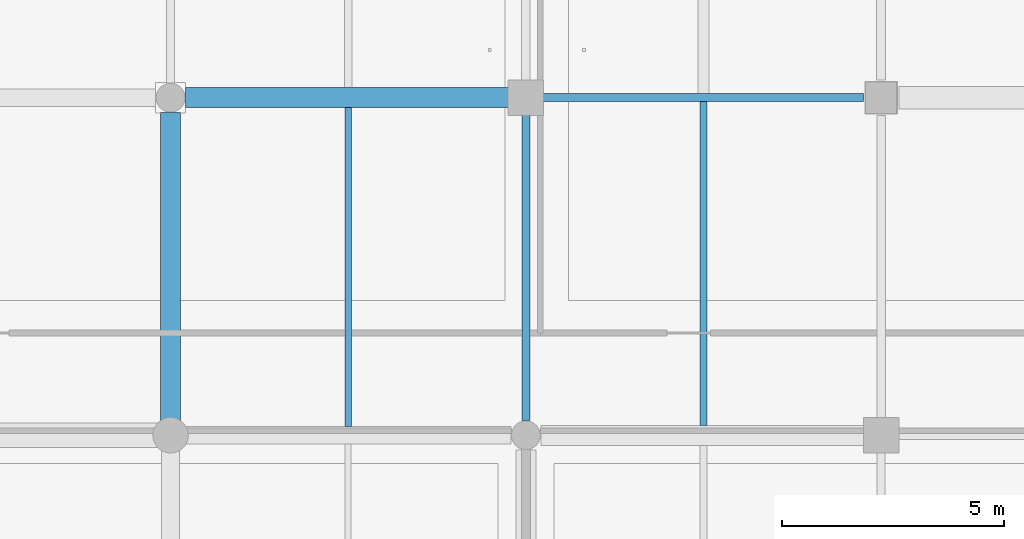
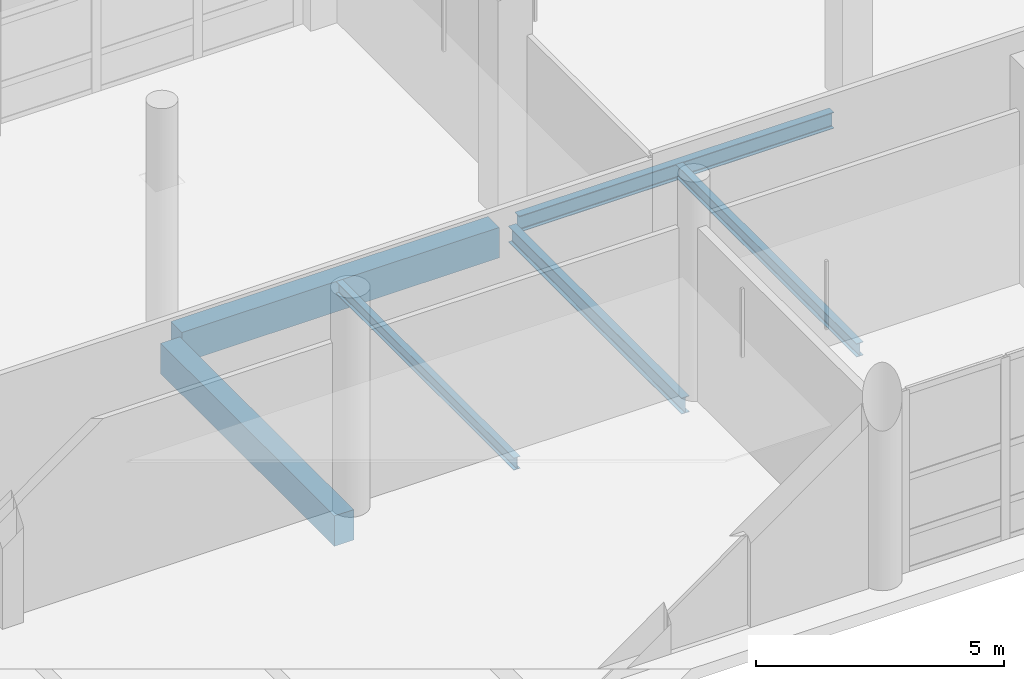
# One storey, part 21 of 126: 6 beams.
"""IFC4 building model written with IfcOpenShell, lengths in metres."""

from ifc_helpers import new_model, si_unit, direction, frame, origin, origin_2d, place, context, subcontext, project, spatial, rectangle, i_section, extrude, material, material_profile, profile_set, type_object, element, save


model = new_model("IFC4")

# Units and contexts
model_context = context("Model", 3, precision=1e-05, world=origin(), true_north=direction((0.0, 1.0)))
body_context = subcontext(model_context, "Body", "Model", "MODEL_VIEW")
ifc_project = project(units=[si_unit("LENGTHUNIT", "METRE"), si_unit("AREAUNIT", "SQUARE_METRE"), si_unit("VOLUMEUNIT", "CUBIC_METRE"), si_unit("PLANEANGLEUNIT", "RADIAN"), si_unit("MASSUNIT", "GRAM", prefix="KILO")], contexts=[model_context])

# Site, building, storey
site_placement = place(None, origin())
site = spatial("IfcSite", under=ifc_project, at=site_placement, CompositionType="ELEMENT")
building_placement = place(site_placement, origin())
building = spatial("IfcBuilding", under=site, at=building_placement, Name="Khelvaren Railside Concert Hall", CompositionType="ELEMENT")
storey_placement = place(building_placement, origin())
storey = spatial("IfcBuildingStorey", under=building, at=storey_placement, Name="L00", CompositionType="ELEMENT", Elevation=0.0)

# Beams
ifc_material_1 = material(Name="Steel S355", Category="steel")
ifc_material_profile_1 = material_profile(ifc_material_1, i_section(OverallWidth=0.179931640625, OverallDepth=0.39990234375, WebThickness=0.008544921875, FlangeThickness=0.013427734375, FilletRadius=0.02099609375, at=origin_2d()), Name="IPE 400")
ifc_profile_set_1 = profile_set([ifc_material_profile_1], Name="Steel S355")
beam_type_1 = type_object("IfcBeamType", Name="BM29", PredefinedType="BEAM", material=ifc_profile_set_1)
beam_1_placement = place(storey_placement, frame((104.27294921875, 15.199951171875, -0.52001953125), z_axis=(1.0, 0.0, 0.0), x_axis=(0.0, 1.0, 0.0)))
element("IfcBeam", 1, at=beam_1_placement, inside=storey, type_object=beam_type_1, Name="V3 L00 Beam X3.6", PredefinedType="BEAM", context=body_context, shape_type="SweptSolid", body=[
    extrude(i_section(OverallWidth=0.179931640625, OverallDepth=0.39990234375, WebThickness=0.008544921875, FlangeThickness=0.013427734375, FilletRadius=0.02099609375, at=origin_2d()), origin(), (0.0, 0.0, 1.0), 7.3271484375),
])
beam_2_placement = place(storey_placement, frame((104.0, 7.93603515625, -0.52001953125), z_axis=(0.0, 1.0, 0.0), x_axis=(-1.0, 0.0, 0.0)))
element("IfcBeam", 2, at=beam_2_placement, inside=storey, type_object=beam_type_1, Name="V3 L00 Beam Y6.2", PredefinedType="BEAM", context=body_context, shape_type="SweptSolid", body=[
    extrude(i_section(OverallWidth=0.179931640625, OverallDepth=0.39990234375, WebThickness=0.008544921875, FlangeThickness=0.013427734375, FilletRadius=0.02099609375, at=origin_2d()), origin(), (0.0, 0.0, 1.0), 6.990966796875),
])
ifc_material_2 = material(Name="Concrete C40/50", Category="concrete")
ifc_material_profile_2 = material_profile(ifc_material_2, rectangle(XDim=0.449951171875, YDim=0.75, at=origin_2d()), Name="RCB 450x750")
ifc_profile_set_2 = profile_set([ifc_material_profile_2], Name="Concrete C40/50")
beam_type_2 = type_object("IfcBeamType", Name="BM83", PredefinedType="BEAM", material=ifc_profile_set_2)
beam_3_placement = place(storey_placement, frame((96.3359375, 15.199951171875, -0.695068359375), z_axis=(1.0, 0.0, 0.0), x_axis=(0.0, 1.0, 0.0)))
element("IfcBeam", 3, at=beam_3_placement, inside=storey, type_object=beam_type_2, Name="V3 L00 Beam X3.5", PredefinedType="BEAM", context=body_context, shape_type="SweptSolid", body=[
    extrude(rectangle(XDim=0.449951171875, YDim=0.75, at=origin_2d()), origin(), (0.0, 0.0, 1.0), 7.39111328125),
])
beam_4_placement = place(storey_placement, frame((96.0, 7.85009765625, -0.695068359375), z_axis=(0.0, 1.0, 0.0), x_axis=(-1.0, 0.0, 0.0)))
element("IfcBeam", 4, at=beam_4_placement, inside=storey, type_object=beam_type_2, Name="V3 L00 Beam Y5.2", PredefinedType="BEAM", context=body_context, shape_type="SweptSolid", body=[
    extrude(rectangle(XDim=0.449951171875, YDim=0.75, at=origin_2d()), origin(), (0.0, 0.0, 1.0), 7.013916015625),
])
ifc_material_profile_3 = material_profile(ifc_material_1, i_section(OverallWidth=0.14990234375, OverallDepth=0.300048828125, WebThickness=0.007080078125, FlangeThickness=0.0107421875, FilletRadius=0.014892578125, at=origin_2d()), Name="IPE 300")
ifc_profile_set_3 = profile_set([ifc_material_profile_3], Name="Steel S355")
beam_type_3 = type_object("IfcBeamType", Name="JS26", PredefinedType="JOIST", material=ifc_profile_set_3)
beam_5_placement = place(storey_placement, frame((100.0, 7.800048828125, -0.469970703125), z_axis=(0.0, 1.0, 0.0), x_axis=(-1.0, 0.0, 0.0)))
element("IfcBeam", 5, at=beam_5_placement, inside=storey, type_object=beam_type_3, Name="V3 L00 Secondary Joist 5.2", PredefinedType="JOIST", context=body_context, shape_type="SweptSolid", body=[
    extrude(i_section(OverallWidth=0.14990234375, OverallDepth=0.300048828125, WebThickness=0.007080078125, FlangeThickness=0.0107421875, FilletRadius=0.014892578125, at=origin_2d()), origin(), (0.0, 0.0, 1.0), 7.175048828125),
])
ifc_material_profile_4 = material_profile(ifc_material_1, i_section(OverallWidth=0.159912109375, OverallDepth=0.330078125, WebThickness=0.007568359375, FlangeThickness=0.011474609375, FilletRadius=0.01806640625, at=origin_2d()), Name="IPE 330")
ifc_profile_set_4 = profile_set([ifc_material_profile_4], Name="Steel S355")
beam_type_4 = type_object("IfcBeamType", Name="JS65", PredefinedType="JOIST", material=ifc_profile_set_4)
beam_6_placement = place(storey_placement, frame((108.0, 7.824951171875, -0.485107421875), z_axis=(0.0, 1.0, 0.0), x_axis=(-1.0, 0.0, 0.0)))
element("IfcBeam", 6, at=beam_6_placement, inside=storey, type_object=beam_type_4, Name="V3 L00 Secondary Joist 6.2", PredefinedType="JOIST", context=body_context, shape_type="SweptSolid", body=[
    extrude(i_section(OverallWidth=0.159912109375, OverallDepth=0.330078125, WebThickness=0.007568359375, FlangeThickness=0.011474609375, FilletRadius=0.01806640625, at=origin_2d()), origin(), (0.0, 0.0, 1.0), 7.28515625),
])

save(model, "model.ifc")
